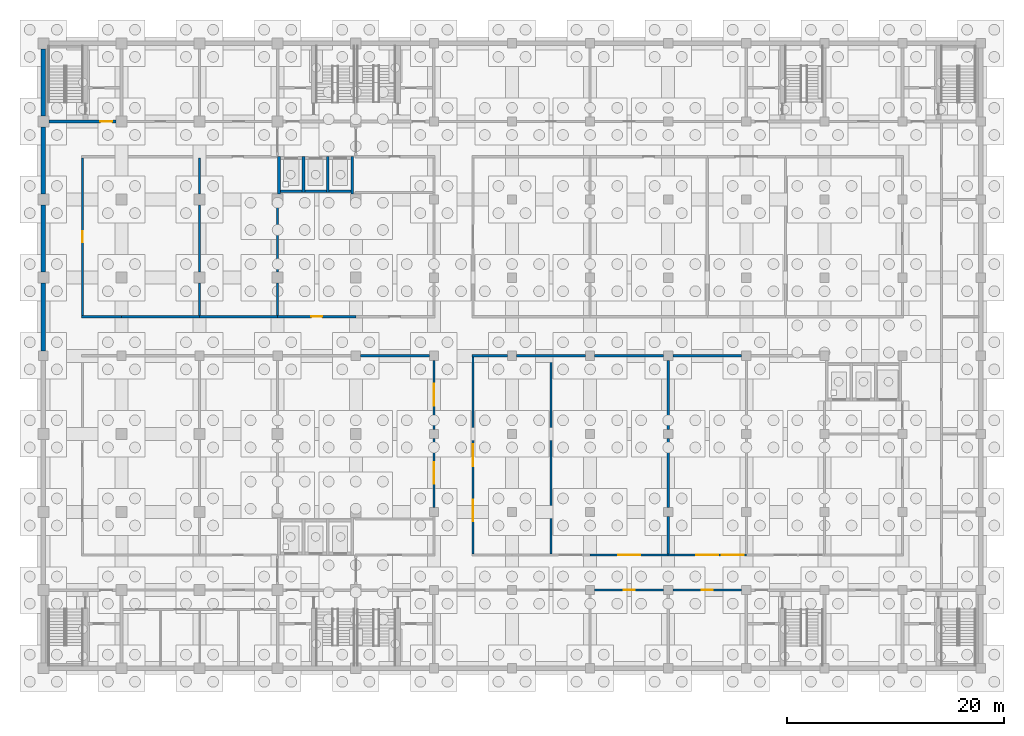
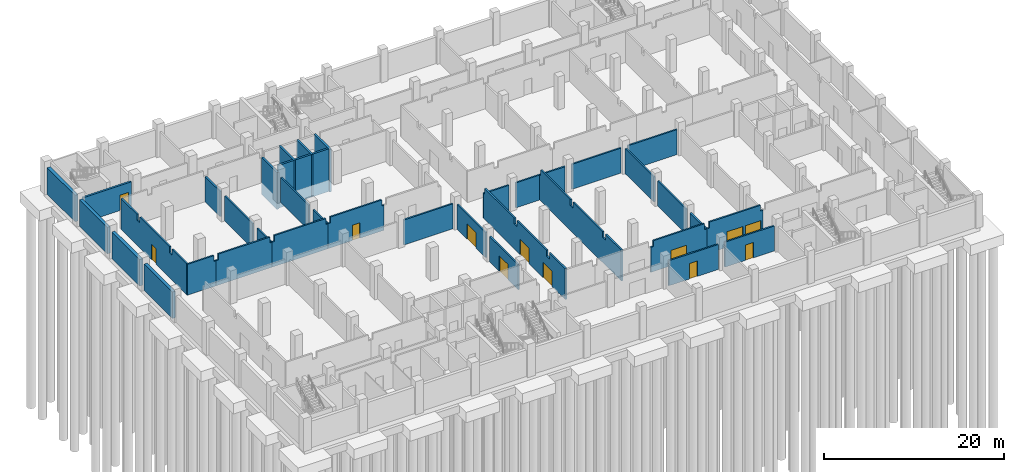
# One storey, part 9 of 19: 38 walls, 12 doors, 12 openings.
"""IFC4 building model written with IfcOpenShell, lengths in metres."""

from ifc_helpers import new_model, si_unit, direction, frame, frame_2d, origin, place, context, subcontext, project, spatial, polyline, rectangle, outline, extrude, material, layer, layer_set, type_object, element, fill, save


model = new_model("IFC4")

# Units and contexts
model_context = context("Model", 3, precision=1e-05, world=origin(), true_north=direction((0.0, 1.0)))
body_context = subcontext(model_context, "Body", "Model", "MODEL_VIEW")
ifc_project = project(units=[si_unit("LENGTHUNIT", "METRE"), si_unit("AREAUNIT", "SQUARE_METRE"), si_unit("VOLUMEUNIT", "CUBIC_METRE"), si_unit("PLANEANGLEUNIT", "RADIAN"), si_unit("MASSUNIT", "GRAM", prefix="KILO")], contexts=[model_context])

# Site, building, storey
site_placement = place(None, origin())
site = spatial("IfcSite", under=ifc_project, at=site_placement, CompositionType="ELEMENT")
building_placement = place(site_placement, origin())
building = spatial("IfcBuilding", under=site, at=building_placement, Name="Silangan Lancet Faculty of Sciences", CompositionType="ELEMENT")
storey_placement = place(building_placement, frame((0.0, 0.0, -4.5)))
storey = spatial("IfcBuildingStorey", under=building, at=storey_placement, Name="B1", CompositionType="ELEMENT", Elevation=-4.5)

# Wall, opening, door
ifc_material_1 = material(Name="Hollow block masonry fm 7 MPa", Category="masonry")
ifc_layer_1 = layer(ifc_material_1, 0.199951171875)
ifc_layer_set_1 = layer_set([ifc_layer_1], Name="Hollow block masonry fm 7 MPa")
wall_type_1 = type_object("IfcWallType", Name="Interior wall PW1 Corridor wall CHB 200", PredefinedType="PARTITIONING", material=ifc_layer_set_1)
wall_1_placement = place(storey_placement, frame((50.824951171875, 7.199951171875, 0.0), z_axis=(0.0, 0.0, 1.0), x_axis=(1.0, 0.0, 0.0)))
wall_1 = element("IfcWall", 1, at=wall_1_placement, inside=storey, type_object=wall_type_1, Name="Corridor wall CHB 200", PredefinedType="PARTITIONING", context=body_context, shape_type="SweptSolid", body=[
    extrude(rectangle(XDim=6.35009765625, YDim=0.199951171875, at=frame_2d((3.175048828125, 0.0))), origin(), (0.0, 0.0, 1.0), 3.39990234375),
])
opening_1_placement = place(wall_1_placement, frame((2.675048828125, 0.0, 0.0)))
opening_1 = element("IfcOpeningElement", 2, at=opening_1_placement, cuts=wall_1, Name="Opening B1-036", PredefinedType="OPENING", context=body_context, shape_type="SweptSolid", body=[
    extrude(rectangle(XDim=1.0, YDim=2.10009765625, at=frame_2d((0.5, 1.050048828125))), frame((0.0, 0.10986328125, 0.0), z_axis=(0.0, -1.0, 0.0), x_axis=(1.0, 0.0, 0.0)), (0.0, 0.0, 1.0), 0.219970703125),
])
ifc_material_2 = material(Name="Steel fire door set", Category="steel")
door_type_1 = type_object("IfcDoorType", Name="Door D1 Single leaf fire door 1000 x 2100", OperationType="SINGLE_SWING_LEFT", PredefinedType="DOOR", material=ifc_material_2)
door_1_placement = place(opening_1_placement, frame((1.0, 0.0, 0.0), z_axis=(0.0, 0.0, 1.0), x_axis=(-1.0, 0.0, 0.0)))
door_1 = element("IfcDoor", 3, at=door_1_placement, inside=storey, type_object=door_type_1, Name="Single leaf fire door 1000 x 2100", OperationType="SINGLE_SWING_LEFT", OverallHeight=2.10009765625, OverallWidth=1.0, PredefinedType="DOOR", context=body_context, shape_type="SweptSolid", body=[
    extrude(rectangle(XDim=1.0, YDim=2.10009765625, at=frame_2d((0.5, 1.050048828125))), frame((0.0, 0.025146484375, 0.0), z_axis=(0.0, -1.0, 0.0), x_axis=(1.0, 0.0, 0.0)), (0.0, 0.0, 1.0), 0.050048828125),
])
fill(opening_1, door_1)

wall_2_placement = place(storey_placement, frame((58.02490234375, 7.199951171875, 0.0), z_axis=(0.0, 0.0, 1.0), x_axis=(1.0, 0.0, 0.0)))
wall_2 = element("IfcWall", 4, at=wall_2_placement, inside=storey, type_object=wall_type_1, Name="Corridor wall CHB 200", PredefinedType="PARTITIONING", context=body_context, shape_type="SweptSolid", body=[
    extrude(rectangle(XDim=6.35009765625, YDim=0.199951171875, at=frame_2d((3.175048828125, 0.0))), origin(), (0.0, 0.0, 1.0), 3.39990234375),
])
opening_2_placement = place(wall_2_placement, frame((2.675048828125, 0.0, 0.0)))
opening_2 = element("IfcOpeningElement", 5, at=opening_2_placement, cuts=wall_2, Name="Opening B1-037", PredefinedType="OPENING", context=body_context, shape_type="SweptSolid", body=[
    extrude(rectangle(XDim=1.0, YDim=2.10009765625, at=frame_2d((0.5, 1.050048828125))), frame((0.0, 0.10986328125, 0.0), z_axis=(0.0, -1.0, 0.0), x_axis=(1.0, 0.0, 0.0)), (0.0, 0.0, 1.0), 0.219970703125),
])
door_2_placement = place(opening_2_placement, frame((1.0, 0.0, 0.0), z_axis=(0.0, 0.0, 1.0), x_axis=(-1.0, 0.0, 0.0)))
door_2 = element("IfcDoor", 6, at=door_2_placement, inside=storey, type_object=door_type_1, Name="Single leaf fire door 1000 x 2100", OperationType="SINGLE_SWING_RIGHT", OverallHeight=2.10009765625, OverallWidth=1.0, PredefinedType="DOOR", context=body_context, shape_type="SweptSolid", body=[
    extrude(rectangle(XDim=1.0, YDim=2.10009765625, at=frame_2d((0.5, 1.050048828125))), frame((0.0, 0.025146484375, 0.0), z_axis=(0.0, -1.0, 0.0), x_axis=(1.0, 0.0, 0.0)), (0.0, 0.0, 1.0), 0.050048828125),
])
fill(opening_2, door_2)

# Walls
wall_3_placement = place(storey_placement, frame((3.5, 32.39990234375, 0.0), z_axis=(0.0, 0.0, 1.0), x_axis=(1.0, 0.0, 0.0)))
element("IfcWall", 7, at=wall_3_placement, inside=storey, type_object=wall_type_1, Name="Corridor wall CHB 200", PredefinedType="PARTITIONING", context=body_context, shape_type="SweptSolid", body=[
    extrude(outline(polyline([(0.0, 0.0), (3.699951171875, 0.0), (3.699951171875, 3.39990234375), (3.39990234375, 3.39990234375), (3.39990234375, 4.199951171875), (0.0, 4.199951171875), (0.0, 0.0)])), frame((0.0, 0.10009765625, 0.0), z_axis=(0.0, -1.0, 0.0), x_axis=(1.0, 0.0, 0.0)), (0.0, 0.0, 1.0), 0.199951171875),
])
wall_4_placement = place(storey_placement, frame((7.199951171875, 32.39990234375, 0.0), z_axis=(0.0, 0.0, 1.0), x_axis=(1.0, 0.0, 0.0)))
element("IfcWall", 8, at=wall_4_placement, inside=storey, type_object=wall_type_1, Name="Corridor wall CHB 200", PredefinedType="PARTITIONING", context=body_context, shape_type="SweptSolid", body=[
    extrude(outline(polyline([(0.0, 0.0), (7.199951171875, 0.0), (7.199951171875, 3.39990234375), (6.89990234375, 3.39990234375), (6.89990234375, 4.199951171875), (0.300048828125, 4.199951171875), (0.300048828125, 3.39990234375), (0.0, 3.39990234375), (0.0, 0.0)])), frame((0.0, 0.10009765625, 0.0), z_axis=(0.0, -1.0, 0.0), x_axis=(1.0, 0.0, 0.0)), (0.0, 0.0, 1.0), 0.199951171875),
])
wall_5_placement = place(storey_placement, frame((14.39990234375, 32.39990234375, 0.0), z_axis=(0.0, 0.0, 1.0), x_axis=(1.0, 0.0, 0.0)))
element("IfcWall", 9, at=wall_5_placement, inside=storey, type_object=wall_type_1, Name="Corridor wall CHB 200", PredefinedType="PARTITIONING", context=body_context, shape_type="SweptSolid", body=[
    extrude(outline(polyline([(0.0, 0.0), (7.2001953125, 0.0), (7.2001953125, 3.39990234375), (6.900146484375, 3.39990234375), (6.900146484375, 4.199951171875), (0.300048828125, 4.199951171875), (0.300048828125, 3.39990234375), (0.0, 3.39990234375), (0.0, 0.0)])), frame((0.0, 0.10009765625, 0.0), z_axis=(0.0, -1.0, 0.0), x_axis=(1.0, 0.0, 0.0)), (0.0, 0.0, 1.0), 0.199951171875),
])

# Wall, opening, door
wall_6_placement = place(storey_placement, frame((21.60009765625, 32.39990234375, 0.0), z_axis=(0.0, 0.0, 1.0), x_axis=(1.0, 0.0, 0.0)))
wall_6 = element("IfcWall", 10, at=wall_6_placement, inside=storey, type_object=wall_type_1, Name="Corridor wall CHB 200", PredefinedType="PARTITIONING", context=body_context, shape_type="SweptSolid", body=[
    extrude(outline(polyline([(0.0, 0.0), (7.199951171875, 0.0), (7.199951171875, 3.39990234375), (6.89990234375, 3.39990234375), (6.89990234375, 4.199951171875), (0.2998046875, 4.199951171875), (0.2998046875, 3.39990234375), (0.0, 3.39990234375), (0.0, 0.0)])), frame((0.0, 0.10009765625, 0.0), z_axis=(0.0, -1.0, 0.0), x_axis=(1.0, 0.0, 0.0)), (0.0, 0.0, 1.0), 0.199951171875),
])
opening_3_placement = place(wall_6_placement, frame((3.10009765625, 0.0, 0.0)))
opening_3 = element("IfcOpeningElement", 11, at=opening_3_placement, cuts=wall_6, Name="Opening B1-024", PredefinedType="OPENING", context=body_context, shape_type="SweptSolid", body=[
    extrude(rectangle(XDim=1.0, YDim=2.10009765625, at=frame_2d((0.5, 1.050048828125))), frame((0.0, 0.10986328125, 0.0), z_axis=(0.0, -1.0, 0.0), x_axis=(1.0, 0.0, 0.0)), (0.0, 0.0, 1.0), 0.219970703125),
])
door_3_placement = place(opening_3_placement, origin())
door_3 = element("IfcDoor", 12, at=door_3_placement, inside=storey, type_object=door_type_1, Name="Single leaf fire door 1000 x 2100", OperationType="SINGLE_SWING_RIGHT", OverallHeight=2.10009765625, OverallWidth=1.0, PredefinedType="DOOR", context=body_context, shape_type="SweptSolid", body=[
    extrude(rectangle(XDim=1.0, YDim=2.10009765625, at=frame_2d((0.5, 1.050048828125))), frame((0.0, 0.02490234375, 0.0), z_axis=(0.0, -1.0, 0.0), x_axis=(1.0, 0.0, 0.0)), (0.0, 0.0, 1.0), 0.050048828125),
])
fill(opening_3, door_3)

wall_7_placement = place(storey_placement, frame((3.60009765625, 32.5, 0.0), z_axis=(0.0, 0.0, 1.0), x_axis=(0.0, 1.0, 0.0)))
wall_7 = element("IfcWall", 13, at=wall_7_placement, inside=storey, type_object=wall_type_1, Name="Corridor wall CHB 200", PredefinedType="PARTITIONING", context=body_context, shape_type="SweptSolid", body=[
    extrude(outline(polyline([(0.0, 0.0), (14.550048828125, 0.0), (14.550048828125, 4.199951171875), (11.0, 4.199951171875), (11.0, 3.39990234375), (10.39990234375, 3.39990234375), (10.39990234375, 4.199951171875), (3.800048828125, 4.199951171875), (3.800048828125, 3.39990234375), (3.199951171875, 3.39990234375), (3.199951171875, 4.199951171875), (0.0, 4.199951171875), (0.0, 0.0)])), frame((0.0, 0.10009765625, 0.0), z_axis=(0.0, -1.0, 0.0), x_axis=(1.0, 0.0, 0.0)), (0.0, 0.0, 1.0), 0.199951171875),
])
opening_4_placement = place(wall_7_placement, frame((6.77490234375, 0.0, 0.0)))
opening_4 = element("IfcOpeningElement", 14, at=opening_4_placement, cuts=wall_7, Name="Opening B1-022", PredefinedType="OPENING", context=body_context, shape_type="SweptSolid", body=[
    extrude(rectangle(XDim=1.0, YDim=2.10009765625, at=frame_2d((0.5, 1.050048828125))), frame((0.0, 0.10986328125, 0.0), z_axis=(0.0, -1.0, 0.0), x_axis=(1.0, 0.0, 0.0)), (0.0, 0.0, 1.0), 0.219970703125),
])
door_4_placement = place(opening_4_placement, frame((1.0, 0.0, 0.0), z_axis=(0.0, 0.0, 1.0), x_axis=(-1.0, 0.0, 0.0)))
door_4 = element("IfcDoor", 15, at=door_4_placement, inside=storey, type_object=door_type_1, Name="Single leaf fire door 1000 x 2100", OperationType="SINGLE_SWING_LEFT", OverallHeight=2.10009765625, OverallWidth=1.0, PredefinedType="DOOR", context=body_context, shape_type="SweptSolid", body=[
    extrude(rectangle(XDim=1.0, YDim=2.10009765625, at=frame_2d((0.5, 1.050048828125))), frame((0.0, 0.025146484375, 0.0), z_axis=(0.0, -1.0, 0.0), x_axis=(1.0, 0.0, 0.0)), (0.0, 0.0, 1.0), 0.050048828125),
])
fill(opening_4, door_4)

# Walls
ifc_material_3 = material(Name="Hollow block masonry fm 7 MPa", Category="masonry")
ifc_layer_2 = layer(ifc_material_3, 0.199951171875)
ifc_layer_set_2 = layer_set([ifc_layer_2], Name="Hollow block masonry fm 7 MPa")
wall_type_2 = type_object("IfcWallType", Name="Interior wall PW4 Laboratory separation CHB 200", PredefinedType="PARTITIONING", material=ifc_layer_set_2)
wall_8_placement = place(storey_placement, frame((14.39990234375, 32.5, 0.0), z_axis=(0.0, 0.0, 1.0), x_axis=(0.0, 1.0, 0.0)))
element("IfcWall", 16, at=wall_8_placement, inside=storey, type_object=wall_type_2, Name="Laboratory separation CHB 200", PredefinedType="PARTITIONING", context=body_context, shape_type="SweptSolid", body=[
    extrude(rectangle(XDim=3.0, YDim=0.199951171875, at=frame_2d((1.5, 0.0))), origin(), (0.0, 0.0, 1.0), 3.39990234375),
])
wall_9_placement = place(storey_placement, frame((14.39990234375, 36.5, 0.0), z_axis=(0.0, 0.0, 1.0), x_axis=(0.0, 1.0, 0.0)))
element("IfcWall", 17, at=wall_9_placement, inside=storey, type_object=wall_type_2, Name="Laboratory separation CHB 200", PredefinedType="PARTITIONING", context=body_context, shape_type="SweptSolid", body=[
    extrude(rectangle(XDim=6.199951171875, YDim=0.199951171875, at=frame_2d((3.10009765625, 0.0))), origin(), (0.0, 0.0, 1.0), 3.39990234375),
])
wall_10_placement = place(storey_placement, frame((14.39990234375, 43.699951171875, 0.0), z_axis=(0.0, 0.0, 1.0), x_axis=(0.0, 1.0, 0.0)))
element("IfcWall", 18, at=wall_10_placement, inside=storey, type_object=wall_type_2, Name="Laboratory separation CHB 200", PredefinedType="PARTITIONING", context=body_context, shape_type="SweptSolid", body=[
    extrude(rectangle(XDim=3.35009765625, YDim=0.199951171875, at=frame_2d((1.675048828125, 0.0))), origin(), (0.0, 0.0, 1.0), 3.39990234375),
])
wall_11_placement = place(storey_placement, frame((21.60009765625, 32.5, 0.0), z_axis=(0.0, 0.0, 1.0), x_axis=(0.0, 1.0, 0.0)))
element("IfcWall", 19, at=wall_11_placement, inside=storey, type_object=wall_type_2, Name="Laboratory separation CHB 200", PredefinedType="PARTITIONING", context=body_context, shape_type="SweptSolid", body=[
    extrude(rectangle(XDim=3.0, YDim=0.199951171875, at=frame_2d((1.5, 0.0))), origin(), (0.0, 0.0, 1.0), 3.39990234375),
])
wall_12_placement = place(storey_placement, frame((21.60009765625, 36.5, 0.0), z_axis=(0.0, 0.0, 1.0), x_axis=(0.0, 1.0, 0.0)))
element("IfcWall", 20, at=wall_12_placement, inside=storey, type_object=wall_type_2, Name="Laboratory separation CHB 200", PredefinedType="PARTITIONING", context=body_context, shape_type="SweptSolid", body=[
    extrude(rectangle(XDim=6.199951171875, YDim=0.199951171875, at=frame_2d((3.10009765625, 0.0))), origin(), (0.0, 0.0, 1.0), 3.39990234375),
])

# Wall, opening, door
ifc_material_4 = material(Name="Hollow block masonry fm 7 MPa", Category="masonry")
ifc_layer_3 = layer(ifc_material_4, 0.199951171875)
ifc_layer_set_3 = layer_set([ifc_layer_3], Name="Hollow block masonry fm 7 MPa")
wall_type_3 = type_object("IfcWallType", Name="Interior wall PW6 Plant room wall CHB 200", PredefinedType="PARTITIONING", material=ifc_layer_set_3)
wall_13_placement = place(storey_placement, frame((50.39990234375, 10.449951171875, 0.0), z_axis=(0.0, 0.0, 1.0), x_axis=(1.0, 0.0, 0.0)))
wall_13 = element("IfcWall", 21, at=wall_13_placement, inside=storey, type_object=wall_type_3, Name="Plant room wall CHB 200", PredefinedType="PARTITIONING", context=body_context, shape_type="SweptSolid", body=[
    extrude(outline(polyline([(0.0, 0.0), (7.2001953125, 0.0), (7.2001953125, 3.39990234375), (6.900146484375, 3.39990234375), (6.900146484375, 4.199951171875), (0.300048828125, 4.199951171875), (0.300048828125, 3.39990234375), (0.0, 3.39990234375), (0.0, 0.0)])), frame((0.0, 0.10009765625, 0.0), z_axis=(0.0, -1.0, 0.0), x_axis=(1.0, 0.0, 0.0)), (0.0, 0.0, 1.0), 0.199951171875),
])
opening_5_placement = place(wall_13_placement, frame((2.60009765625, 0.0, 0.0)))
opening_5 = element("IfcOpeningElement", 22, at=opening_5_placement, cuts=wall_13, Name="Opening B1-015", PredefinedType="OPENING", context=body_context, shape_type="SweptSolid", body=[
    extrude(rectangle(XDim=2.0, YDim=2.10009765625, at=frame_2d((1.0, 1.050048828125))), frame((0.0, 0.10986328125, 0.0), z_axis=(0.0, -1.0, 0.0), x_axis=(1.0, 0.0, 0.0)), (0.0, 0.0, 1.0), 0.219970703125),
])
ifc_material_5 = material(Name="Steel fire door set", Category="steel")
door_type_2 = type_object("IfcDoorType", Name="Door D8 Plant room double door 2000 x 2100", OperationType="DOUBLE_DOOR_SINGLE_SWING", PredefinedType="DOOR", material=ifc_material_5)
door_5_placement = place(opening_5_placement, origin())
door_5 = element("IfcDoor", 23, at=door_5_placement, inside=storey, type_object=door_type_2, Name="Plant room double door 2000 x 2100", OperationType="DOUBLE_DOOR_SINGLE_SWING", OverallHeight=2.10009765625, OverallWidth=2.0, PredefinedType="DOOR", context=body_context, shape_type="SweptSolid", body=[
    extrude(rectangle(XDim=2.0, YDim=2.10009765625, at=frame_2d((1.0, 1.050048828125))), frame((0.0, 0.02490234375, 0.0), z_axis=(0.0, -1.0, 0.0), x_axis=(1.0, 0.0, 0.0)), (0.0, 0.0, 1.0), 0.050048828125),
])
fill(opening_5, door_5)

# Wall, openings, doors
wall_14_placement = place(storey_placement, frame((57.60009765625, 10.449951171875, 0.0), z_axis=(0.0, 0.0, 1.0), x_axis=(1.0, 0.0, 0.0)))
wall_14 = element("IfcWall", 24, at=wall_14_placement, inside=storey, type_object=wall_type_3, Name="Plant room wall CHB 200", PredefinedType="PARTITIONING", context=body_context, shape_type="SweptSolid", body=[
    extrude(outline(polyline([(0.0, 0.0), (7.199951171875, 0.0), (7.199951171875, 3.39990234375), (6.89990234375, 3.39990234375), (6.89990234375, 4.199951171875), (0.2998046875, 4.199951171875), (0.2998046875, 3.39990234375), (0.0, 3.39990234375), (0.0, 0.0)])), frame((0.0, 0.10009765625, 0.0), z_axis=(0.0, -1.0, 0.0), x_axis=(1.0, 0.0, 0.0)), (0.0, 0.0, 1.0), 0.199951171875),
])
opening_6_placement = place(wall_14_placement, frame((2.599853515625, 0.0, 0.0)))
opening_6 = element("IfcOpeningElement", 25, at=opening_6_placement, cuts=wall_14, Name="Opening B1-017", PredefinedType="OPENING", context=body_context, shape_type="SweptSolid", body=[
    extrude(rectangle(XDim=2.0, YDim=2.10009765625, at=frame_2d((1.0, 1.050048828125))), frame((0.0, 0.10986328125, 0.0), z_axis=(0.0, -1.0, 0.0), x_axis=(1.0, 0.0, 0.0)), (0.0, 0.0, 1.0), 0.219970703125),
])
opening_7_placement = place(wall_14_placement, frame((4.949951171875, 0.0, 0.0)))
opening_7 = element("IfcOpeningElement", 26, at=opening_7_placement, cuts=wall_14, Name="Opening B1-018", PredefinedType="OPENING", context=body_context, shape_type="SweptSolid", body=[
    extrude(rectangle(XDim=2.0, YDim=2.10009765625, at=frame_2d((1.0, 1.050048828125))), frame((0.0, 0.10986328125, 0.0), z_axis=(0.0, -1.0, 0.0), x_axis=(1.0, 0.0, 0.0)), (0.0, 0.0, 1.0), 0.219970703125),
])
door_6_placement = place(opening_6_placement, origin())
door_6 = element("IfcDoor", 27, at=door_6_placement, inside=storey, type_object=door_type_2, Name="Plant room double door 2000 x 2100", OperationType="DOUBLE_DOOR_SINGLE_SWING", OverallHeight=2.10009765625, OverallWidth=2.0, PredefinedType="DOOR", context=body_context, shape_type="SweptSolid", body=[
    extrude(rectangle(XDim=2.0, YDim=2.10009765625, at=frame_2d((1.0, 1.050048828125))), frame((0.0, 0.02490234375, 0.0), z_axis=(0.0, -1.0, 0.0), x_axis=(1.0, 0.0, 0.0)), (0.0, 0.0, 1.0), 0.050048828125),
])
fill(opening_6, door_6)
door_7_placement = place(opening_7_placement, origin())
door_7 = element("IfcDoor", 28, at=door_7_placement, inside=storey, type_object=door_type_2, Name="Plant room double door 2000 x 2100", OperationType="DOUBLE_DOOR_SINGLE_SWING", OverallHeight=2.10009765625, OverallWidth=2.0, PredefinedType="DOOR", context=body_context, shape_type="SweptSolid", body=[
    extrude(rectangle(XDim=2.0, YDim=2.10009765625, at=frame_2d((1.0, 1.050048828125))), frame((0.0, 0.02490234375, 0.0), z_axis=(0.0, -1.0, 0.0), x_axis=(1.0, 0.0, 0.0)), (0.0, 0.0, 1.0), 0.050048828125),
])
fill(opening_7, door_7)

# Walls
wall_15_placement = place(storey_placement, frame((29.22509765625, 28.800048828125, 0.0), z_axis=(0.0, 0.0, 1.0), x_axis=(1.0, 0.0, 0.0)))
element("IfcWall", 29, at=wall_15_placement, inside=storey, type_object=wall_type_3, Name="Plant room wall CHB 200", PredefinedType="PARTITIONING", context=body_context, shape_type="SweptSolid", body=[
    extrude(rectangle(XDim=6.349853515625, YDim=0.199951171875, at=frame_2d((3.1748046875, 0.0))), origin(), (0.0, 0.0, 1.0), 3.39990234375),
])
wall_16_placement = place(storey_placement, frame((39.5, 28.800048828125, 0.0), z_axis=(0.0, 0.0, 1.0), x_axis=(1.0, 0.0, 0.0)))
element("IfcWall", 30, at=wall_16_placement, inside=storey, type_object=wall_type_3, Name="Plant room wall CHB 200", PredefinedType="PARTITIONING", context=body_context, shape_type="SweptSolid", body=[
    extrude(rectangle(XDim=3.27490234375, YDim=0.199951171875, at=frame_2d((1.637451171875, 0.0))), origin(), (0.0, 0.0, 1.0), 3.39990234375),
])
for number, where, z_axis, x_axis, name in (
    (31, (43.625, 28.800048828125, 0.0), (0.0, 0.0, 1.0), (1.0, 0.0, 0.0), "Plant room wall CHB 200"),
    (32, (50.824951171875, 28.800048828125, 0.0), (0.0, 0.0, 1.0), (1.0, 0.0, 0.0), "Plant room wall CHB 200"),
    (33, (58.02490234375, 28.800048828125, 0.0), (0.0, 0.0, 1.0), (1.0, 0.0, 0.0), "Plant room wall CHB 200"),
):
    element("IfcWall", number, at=place(storey_placement, frame(where, z_axis=z_axis, x_axis=x_axis)), inside=storey, type_object=wall_type_3, Name=name, PredefinedType="PARTITIONING", context=body_context, shape_type="SweptSolid", body=[
        extrude(rectangle(XDim=6.35009765625, YDim=0.199951171875, at=frame_2d((3.175048828125, 0.0))), origin(), (0.0, 0.0, 1.0), 3.39990234375),
    ])

# Wall, opening, door
wall_17_placement = place(storey_placement, frame((36.0, 14.824951171875, 0.0), z_axis=(0.0, 0.0, 1.0), x_axis=(0.0, 1.0, 0.0)))
wall_17 = element("IfcWall", 34, at=wall_17_placement, inside=storey, type_object=wall_type_3, Name="Plant room wall CHB 200", PredefinedType="PARTITIONING", context=body_context, shape_type="SweptSolid", body=[
    extrude(rectangle(XDim=6.35009765625, YDim=0.199951171875, at=frame_2d((3.175048828125, 0.0))), origin(), (0.0, 0.0, 1.0), 3.39990234375),
])
opening_8_placement = place(wall_17_placement, frame((2.175048828125, 0.0, 0.0)))
opening_8 = element("IfcOpeningElement", 35, at=opening_8_placement, cuts=wall_17, Name="Opening B1-010", PredefinedType="OPENING", context=body_context, shape_type="SweptSolid", body=[
    extrude(rectangle(XDim=2.0, YDim=2.10009765625, at=frame_2d((1.0, 1.050048828125))), frame((0.0, 0.10986328125, 0.0), z_axis=(0.0, -1.0, 0.0), x_axis=(1.0, 0.0, 0.0)), (0.0, 0.0, 1.0), 0.219970703125),
])
door_8_placement = place(opening_8_placement, origin())
door_8 = element("IfcDoor", 36, at=door_8_placement, inside=storey, type_object=door_type_2, Name="Plant room double door 2000 x 2100", OperationType="DOUBLE_DOOR_SINGLE_SWING", OverallHeight=2.10009765625, OverallWidth=2.0, PredefinedType="DOOR", context=body_context, shape_type="SweptSolid", body=[
    extrude(rectangle(XDim=2.0, YDim=2.10009765625, at=frame_2d((1.0, 1.050048828125))), frame((0.0, 0.02490234375, 0.0), z_axis=(0.0, -1.0, 0.0), x_axis=(1.0, 0.0, 0.0)), (0.0, 0.0, 1.0), 0.050048828125),
])
fill(opening_8, door_8)

wall_18_placement = place(storey_placement, frame((36.0, 22.02490234375, 0.0), z_axis=(0.0, 0.0, 1.0), x_axis=(0.0, 1.0, 0.0)))
wall_18 = element("IfcWall", 37, at=wall_18_placement, inside=storey, type_object=wall_type_3, Name="Plant room wall CHB 200", PredefinedType="PARTITIONING", context=body_context, shape_type="SweptSolid", body=[
    extrude(rectangle(XDim=6.35009765625, YDim=0.199951171875, at=frame_2d((3.175048828125, 0.0))), origin(), (0.0, 0.0, 1.0), 3.39990234375),
])
opening_9_placement = place(wall_18_placement, frame((2.175048828125, 0.0, 0.0)))
opening_9 = element("IfcOpeningElement", 38, at=opening_9_placement, cuts=wall_18, Name="Opening B1-011", PredefinedType="OPENING", context=body_context, shape_type="SweptSolid", body=[
    extrude(rectangle(XDim=2.0, YDim=2.10009765625, at=frame_2d((1.0, 1.050048828125))), frame((0.0, 0.10986328125, 0.0), z_axis=(0.0, -1.0, 0.0), x_axis=(1.0, 0.0, 0.0)), (0.0, 0.0, 1.0), 0.219970703125),
])
door_9_placement = place(opening_9_placement, origin())
door_9 = element("IfcDoor", 39, at=door_9_placement, inside=storey, type_object=door_type_2, Name="Plant room double door 2000 x 2100", OperationType="DOUBLE_DOOR_SINGLE_SWING", OverallHeight=2.10009765625, OverallWidth=2.0, PredefinedType="DOOR", context=body_context, shape_type="SweptSolid", body=[
    extrude(rectangle(XDim=2.0, YDim=2.10009765625, at=frame_2d((1.0, 1.050048828125))), frame((0.0, 0.02490234375, 0.0), z_axis=(0.0, -1.0, 0.0), x_axis=(1.0, 0.0, 0.0)), (0.0, 0.0, 1.0), 0.050048828125),
])
fill(opening_9, door_9)

# Wall, openings, doors
wall_19_placement = place(storey_placement, frame((39.60009765625, 10.550048828125, 0.0), z_axis=(0.0, 0.0, 1.0), x_axis=(0.0, 1.0, 0.0)))
wall_19 = element("IfcWall", 40, at=wall_19_placement, inside=storey, type_object=wall_type_3, Name="Plant room wall CHB 200", PredefinedType="PARTITIONING", context=body_context, shape_type="SweptSolid", body=[
    extrude(outline(polyline([(0.0, 0.0), (18.14990234375, 0.0), (18.14990234375, 3.39990234375), (17.949951171875, 3.39990234375), (17.949951171875, 4.199951171875), (11.35009765625, 4.199951171875), (11.35009765625, 3.39990234375), (10.75, 3.39990234375), (10.75, 4.199951171875), (4.14990234375, 4.199951171875), (4.14990234375, 3.39990234375), (3.550048828125, 3.39990234375), (3.550048828125, 4.199951171875), (0.0, 4.199951171875), (0.0, 0.0)])), frame((0.0, 0.10009765625, 0.0), z_axis=(0.0, -1.0, 0.0), x_axis=(1.0, 0.0, 0.0)), (0.0, 0.0, 1.0), 0.199951171875),
])
opening_10_placement = place(wall_19_placement, frame((8.074951171875, 0.0, 0.0)))
opening_10 = element("IfcOpeningElement", 41, at=opening_10_placement, cuts=wall_19, Name="Opening B1-013", PredefinedType="OPENING", context=body_context, shape_type="SweptSolid", body=[
    extrude(rectangle(XDim=2.0, YDim=2.10009765625, at=frame_2d((1.0, 1.050048828125))), frame((0.0, 0.10986328125, 0.0), z_axis=(0.0, -1.0, 0.0), x_axis=(1.0, 0.0, 0.0)), (0.0, 0.0, 1.0), 0.219970703125),
])
opening_11_placement = place(wall_19_placement, frame((2.987548828125, 0.0, 0.0)))
opening_11 = element("IfcOpeningElement", 42, at=opening_11_placement, cuts=wall_19, Name="Opening B1-014", PredefinedType="OPENING", context=body_context, shape_type="SweptSolid", body=[
    extrude(rectangle(XDim=2.0, YDim=2.10009765625, at=frame_2d((1.0, 1.050048828125))), frame((0.0, 0.10986328125, 0.0), z_axis=(0.0, -1.0, 0.0), x_axis=(1.0, 0.0, 0.0)), (0.0, 0.0, 1.0), 0.219970703125),
])
door_10_placement = place(opening_10_placement, origin())
door_10 = element("IfcDoor", 43, at=door_10_placement, inside=storey, type_object=door_type_2, Name="Plant room double door 2000 x 2100", OperationType="DOUBLE_DOOR_SINGLE_SWING", OverallHeight=2.10009765625, OverallWidth=2.0, PredefinedType="DOOR", context=body_context, shape_type="SweptSolid", body=[
    extrude(rectangle(XDim=2.0, YDim=2.10009765625, at=frame_2d((1.0, 1.050048828125))), frame((0.0, 0.02490234375, 0.0), z_axis=(0.0, -1.0, 0.0), x_axis=(1.0, 0.0, 0.0)), (0.0, 0.0, 1.0), 0.050048828125),
])
fill(opening_10, door_10)
door_11_placement = place(opening_11_placement, origin())
door_11 = element("IfcDoor", 44, at=door_11_placement, inside=storey, type_object=door_type_2, Name="Plant room double door 2000 x 2100", OperationType="DOUBLE_DOOR_SINGLE_SWING", OverallHeight=2.10009765625, OverallWidth=2.0, PredefinedType="DOOR", context=body_context, shape_type="SweptSolid", body=[
    extrude(rectangle(XDim=2.0, YDim=2.10009765625, at=frame_2d((1.0, 1.050048828125))), frame((0.0, 0.02490234375, 0.0), z_axis=(0.0, -1.0, 0.0), x_axis=(1.0, 0.0, 0.0)), (0.0, 0.0, 1.0), 0.050048828125),
])
fill(opening_11, door_11)

# Walls
wall_20_placement = place(storey_placement, frame((46.800048828125, 10.550048828125, 0.0), z_axis=(0.0, 0.0, 1.0), x_axis=(0.0, 1.0, 0.0)))
element("IfcWall", 45, at=wall_20_placement, inside=storey, type_object=wall_type_3, Name="Plant room wall CHB 200", PredefinedType="PARTITIONING", context=body_context, shape_type="SweptSolid", body=[
    extrude(outline(polyline([(0.0, 0.0), (18.14990234375, 0.0), (18.14990234375, 3.39990234375), (17.949951171875, 3.39990234375), (17.949951171875, 4.199951171875), (11.35009765625, 4.199951171875), (11.35009765625, 3.39990234375), (10.75, 3.39990234375), (10.75, 4.199951171875), (4.14990234375, 4.199951171875), (4.14990234375, 3.39990234375), (3.550048828125, 3.39990234375), (3.550048828125, 4.199951171875), (0.0, 4.199951171875), (0.0, 0.0)])), frame((0.0, 0.10009765625, 0.0), z_axis=(0.0, -1.0, 0.0), x_axis=(1.0, 0.0, 0.0)), (0.0, 0.0, 1.0), 0.199951171875),
])
wall_21_placement = place(storey_placement, frame((57.60009765625, 10.550048828125, 0.0), z_axis=(0.0, 0.0, 1.0), x_axis=(0.0, 1.0, 0.0)))
element("IfcWall", 46, at=wall_21_placement, inside=storey, type_object=wall_type_3, Name="Plant room wall CHB 200", PredefinedType="PARTITIONING", context=body_context, shape_type="SweptSolid", body=[
    extrude(rectangle(XDim=3.425048828125, YDim=0.199951171875, at=frame_2d((1.71240234375, 0.0))), origin(), (0.0, 0.0, 1.0), 3.39990234375),
])
for number, where, z_axis, x_axis, name in (
    (47, (57.60009765625, 14.824951171875, 0.0), (0.0, 0.0, 1.0), (0.0, 1.0, 0.0), "Plant room wall CHB 200"),
    (48, (57.60009765625, 22.02490234375, 0.0), (0.0, 0.0, 1.0), (0.0, 1.0, 0.0), "Plant room wall CHB 200"),
):
    element("IfcWall", number, at=place(storey_placement, frame(where, z_axis=z_axis, x_axis=x_axis)), inside=storey, type_object=wall_type_3, Name=name, PredefinedType="PARTITIONING", context=body_context, shape_type="SweptSolid", body=[
        extrude(rectangle(XDim=6.35009765625, YDim=0.199951171875, at=frame_2d((3.175048828125, 0.0))), origin(), (0.0, 0.0, 1.0), 3.39990234375),
    ])
ifc_material_6 = material(Name="Concrete C40/50", Category="concrete")
ifc_layer_4 = layer(ifc_material_6, 0.25)
ifc_layer_set_4 = layer_set([ifc_layer_4], Name="Concrete C40/50")
wall_type_4 = type_object("IfcWallType", Name="LIFT SHAFT WALL RC 250", PredefinedType="SHEAR", material=ifc_layer_set_4)
wall_22_placement = place(storey_placement, frame((21.72509765625, 43.699951171875, -1.60009765625), z_axis=(0.0, 0.0, 1.0), x_axis=(0.0, 1.0, 0.0)))
element("IfcWall", 49, at=wall_22_placement, inside=storey, type_object=wall_type_4, Name="WALL-B1-NT-SW1", PredefinedType="SHEAR", context=body_context, shape_type="SweptSolid", body=[
    extrude(rectangle(XDim=3.449951171875, YDim=0.25, at=frame_2d((1.72509765625, 0.0))), origin(), (0.0, 0.0, 1.0), 5.0),
])
for number, where, z_axis, x_axis, name in (
    (50, (23.97509765625, 43.85009765625, -1.60009765625), (0.0, 0.0, 1.0), (0.0, 1.0, 0.0), "WALL-B1-NT-SW2"),
    (51, (26.22509765625, 43.85009765625, -1.60009765625), (0.0, 0.0, 1.0), (0.0, 1.0, 0.0), "WALL-B1-NT-SW3"),
):
    element("IfcWall", number, at=place(storey_placement, frame(where, z_axis=z_axis, x_axis=x_axis)), inside=storey, type_object=wall_type_4, Name=name, PredefinedType="SHEAR", context=body_context, shape_type="SweptSolid", body=[
        extrude(rectangle(XDim=3.2998046875, YDim=0.25, at=frame_2d((1.64990234375, 0.0))), origin(), (0.0, 0.0, 1.0), 5.800048828125),
    ])
wall_23_placement = place(storey_placement, frame((28.47509765625, 43.699951171875, -1.60009765625), z_axis=(0.0, 0.0, 1.0), x_axis=(0.0, 1.0, 0.0)))
element("IfcWall", 52, at=wall_23_placement, inside=storey, type_object=wall_type_4, Name="WALL-B1-NT-SW4", PredefinedType="SHEAR", context=body_context, shape_type="SweptSolid", body=[
    extrude(rectangle(XDim=3.449951171875, YDim=0.25, at=frame_2d((1.72509765625, 0.0))), origin(), (0.0, 0.0, 1.0), 5.800048828125),
])
for number, where, z_axis, x_axis, name in (
    (53, (21.85009765625, 43.97509765625, -1.60009765625), (0.0, 0.0, 1.0), (1.0, 0.0, 0.0), "WALL-B1-NT-L1-B"),
    (54, (24.10009765625, 43.97509765625, -1.60009765625), (0.0, 0.0, 1.0), (1.0, 0.0, 0.0), "WALL-B1-NT-L2-B"),
    (55, (26.35009765625, 43.97509765625, -1.60009765625), (0.0, 0.0, 1.0), (1.0, 0.0, 0.0), "WALL-B1-NT-L3-B"),
):
    element("IfcWall", number, at=place(storey_placement, frame(where, z_axis=z_axis, x_axis=x_axis)), inside=storey, type_object=wall_type_4, Name=name, PredefinedType="SHEAR", context=body_context, shape_type="SweptSolid", body=[
        extrude(rectangle(XDim=2.0, YDim=0.25, at=frame_2d((1.0, 0.0))), origin(), (0.0, 0.0, 1.0), 5.800048828125),
    ])
ifc_material_7 = material(Name="Concrete C35/45", Category="concrete")
ifc_layer_5 = layer(ifc_material_7, 0.39990234375)
ifc_layer_set_5 = layer_set([ifc_layer_5], Name="Concrete C35/45")
wall_type_5 = type_object("IfcWallType", Name="RW1 Basement retaining wall", PredefinedType="SOLIDWALL", material=ifc_layer_set_5)
wall_24_placement = place(storey_placement, frame((0.0, 57.10009765625, 0.0), z_axis=(0.0, 0.0, 1.0), x_axis=(0.0, -1.0, 0.0)))
element("IfcWall", 56, at=wall_24_placement, inside=storey, type_object=wall_type_5, Name="RW-B1-W-00", PredefinedType="SOLIDWALL", context=body_context, shape_type="SweptSolid", body=[
    extrude(rectangle(XDim=6.2001953125, YDim=0.39990234375, at=frame_2d((3.10009765625, 0.0))), origin(), (0.0, 0.0, 1.0), 3.60009765625),
])
for number, where, z_axis, x_axis, name in (
    (57, (0.0, 49.89990234375, 0.0), (0.0, 0.0, 1.0), (0.0, -1.0, 0.0), "RW-B1-W-01"),
    (58, (0.0, 42.699951171875, 0.0), (0.0, 0.0, 1.0), (0.0, -1.0, 0.0), "RW-B1-W-02"),
):
    element("IfcWall", number, at=place(storey_placement, frame(where, z_axis=z_axis, x_axis=x_axis)), inside=storey, type_object=wall_type_5, Name=name, PredefinedType="SOLIDWALL", context=body_context, shape_type="SweptSolid", body=[
        extrude(rectangle(XDim=6.199951171875, YDim=0.39990234375, at=frame_2d((3.10009765625, 0.0))), origin(), (0.0, 0.0, 1.0), 3.60009765625),
    ])
wall_25_placement = place(storey_placement, frame((0.0, 35.5, 0.0), z_axis=(0.0, 0.0, 1.0), x_axis=(0.0, -1.0, 0.0)))
element("IfcWall", 59, at=wall_25_placement, inside=storey, type_object=wall_type_5, Name="RW-B1-W-03", PredefinedType="SOLIDWALL", context=body_context, shape_type="SweptSolid", body=[
    extrude(rectangle(XDim=6.27490234375, YDim=0.39990234375, at=frame_2d((3.137451171875, 0.0))), origin(), (0.0, 0.0, 1.0), 3.60009765625),
])

# Wall, opening, door
ifc_material_8 = material(Name="Concrete C40/50", Category="concrete")
ifc_layer_6 = layer(ifc_material_8, 0.25)
ifc_layer_set_6 = layer_set([ifc_layer_6], Name="Concrete C40/50")
wall_type_6 = type_object("IfcWallType", Name="TURRET WALL RC 250", PredefinedType="SHEAR", material=ifc_layer_set_6)
wall_26_placement = place(storey_placement, frame((0.5, 50.39990234375, 0.0), z_axis=(0.0, 0.0, 1.0), x_axis=(1.0, 0.0, 0.0)))
wall_26 = element("IfcWall", 60, at=wall_26_placement, inside=storey, type_object=wall_type_6, Name="WALL-B1-NT-A-V", PredefinedType="SHEAR", context=body_context, shape_type="SweptSolid", body=[
    extrude(rectangle(XDim=6.199951171875, YDim=0.25, at=frame_2d((3.10009765625, 0.0))), origin(), (0.0, 0.0, 1.0), 3.39990234375),
])
opening_12_placement = place(wall_26_placement, frame((4.75, 0.0, 0.0)))
opening_12 = element("IfcOpeningElement", 61, at=opening_12_placement, cuts=wall_26, Name="Opening B1-714", PredefinedType="OPENING", context=body_context, shape_type="SweptSolid", body=[
    extrude(rectangle(XDim=1.10009765625, YDim=2.10009765625, at=frame_2d((0.550048828125, 1.050048828125))), frame((0.0, 0.135009765625, 0.0), z_axis=(0.0, -1.0, 0.0), x_axis=(1.0, 0.0, 0.0)), (0.0, 0.0, 1.0), 0.27001953125),
])
ifc_material_9 = material(Name="Steel fire door set", Category="steel")
door_type_3 = type_object("IfcDoorType", Name="D70 Stair vestibule door 1100x2100", OperationType="SINGLE_SWING_LEFT", PredefinedType="DOOR", material=ifc_material_9)
door_12_placement = place(opening_12_placement, origin())
door_12 = element("IfcDoor", 62, at=door_12_placement, inside=storey, type_object=door_type_3, Name="Stair vestibule door NT-A B1", OperationType="SINGLE_SWING_RIGHT", OverallHeight=2.10009765625, OverallWidth=1.10009765625, PredefinedType="DOOR", context=body_context, shape_type="SweptSolid", body=[
    extrude(rectangle(XDim=1.10009765625, YDim=2.10009765625, at=frame_2d((0.550048828125, 1.050048828125))), frame((0.0, 0.02490234375, 0.0), z_axis=(0.0, -1.0, 0.0), x_axis=(1.0, 0.0, 0.0)), (0.0, 0.0, 1.0), 0.050048828125),
])
fill(opening_12, door_12)

save(model, "model.ifc")
